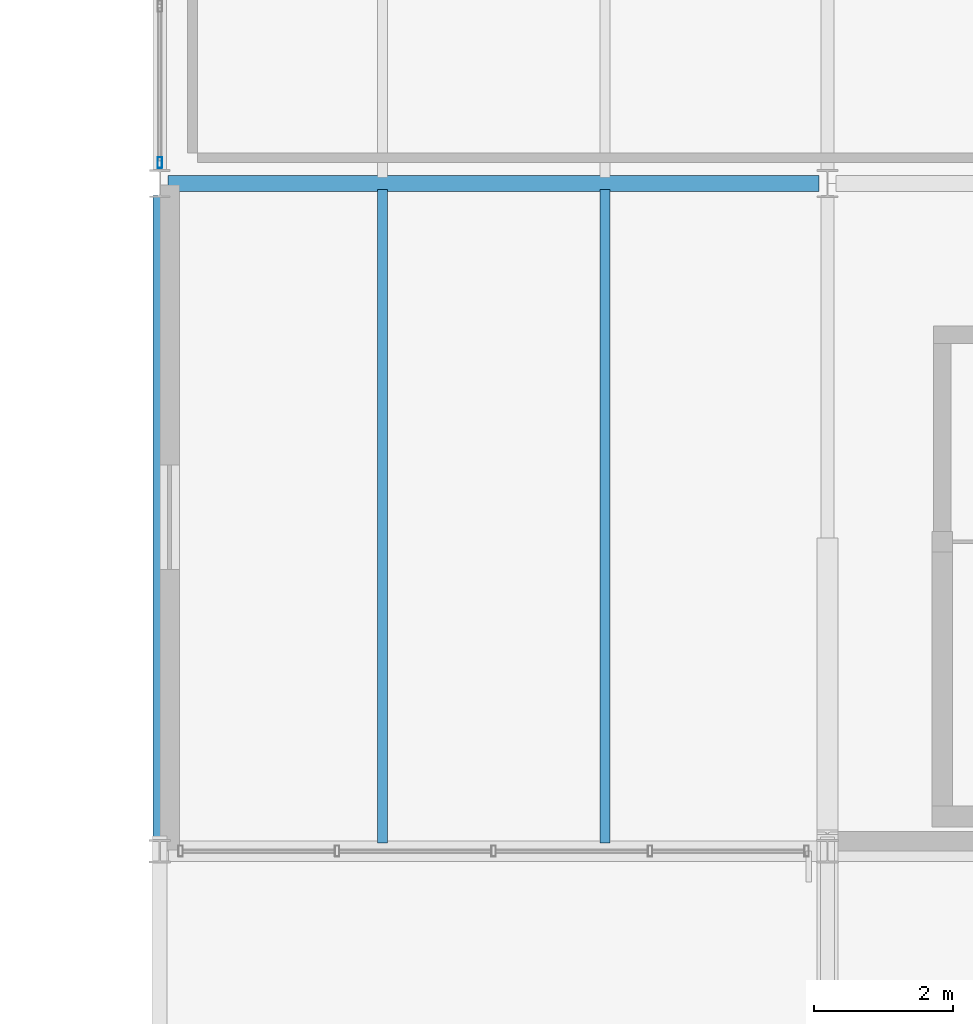
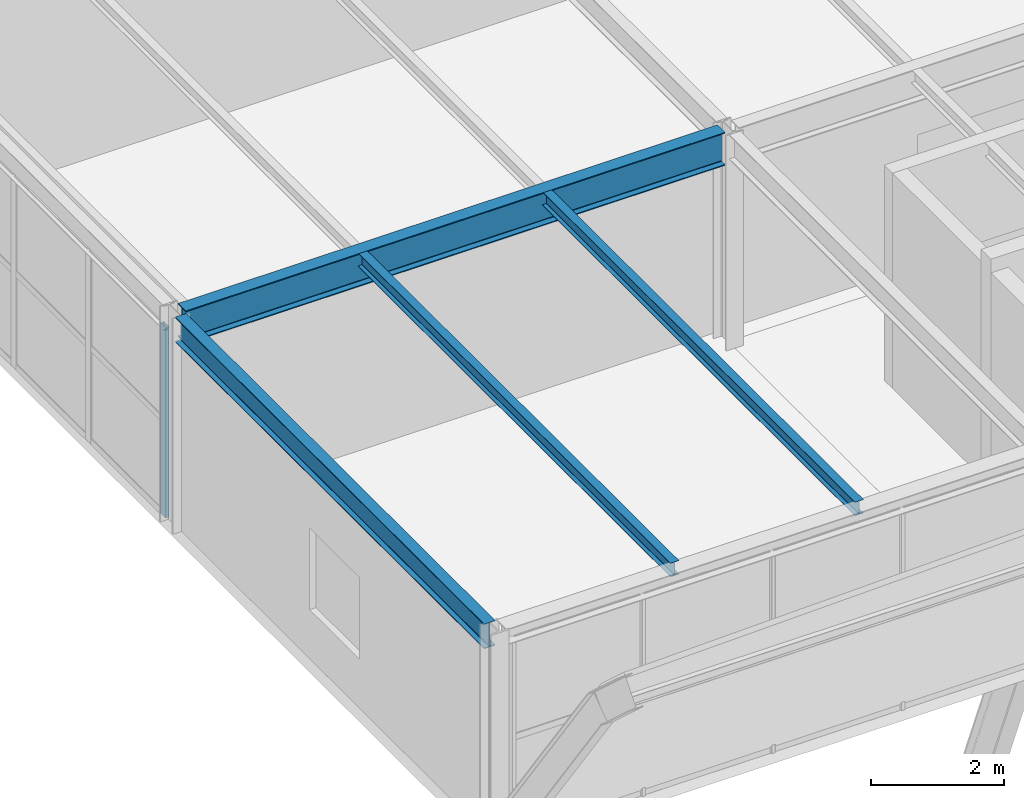
# One storey, part 71 of 126: 4 beams, 1 member, 1 element without a shape of its own.
"""IFC4 building model written with IfcOpenShell, lengths in metres."""

from ifc_helpers import new_model, si_unit, direction, frame, origin, origin_2d, place, context, subcontext, project, spatial, hollow_rectangle, i_section, extrude, material, material_profile, profile_set, type_object, element, aggregate, save


model = new_model("IFC4")

# Units and contexts
model_context = context("Model", 3, precision=1e-05, world=origin(), true_north=direction((0.0, 1.0)))
body_context = subcontext(model_context, "Body", "Model", "MODEL_VIEW")
ifc_project = project(units=[si_unit("LENGTHUNIT", "METRE"), si_unit("AREAUNIT", "SQUARE_METRE"), si_unit("VOLUMEUNIT", "CUBIC_METRE"), si_unit("PLANEANGLEUNIT", "RADIAN"), si_unit("MASSUNIT", "GRAM", prefix="KILO")], contexts=[model_context])

# Site, building, storey
site_placement = place(None, origin())
site = spatial("IfcSite", under=ifc_project, at=site_placement, CompositionType="ELEMENT")
building_placement = place(site_placement, origin())
building = spatial("IfcBuilding", under=site, at=building_placement, Name="Coralgate Yard Interchange", CompositionType="ELEMENT")
storey_placement = place(building_placement, frame((0.0, 0.0, 10.5)))
storey = spatial("IfcBuildingStorey", under=building, at=storey_placement, Name="L02", CompositionType="ELEMENT", Elevation=10.5)

# Beams
ifc_material_1 = material(Name="Structural steel S355J2", Category="steel")
ifc_material_profile_1 = material_profile(ifc_material_1, i_section(OverallWidth=0.1904296875, OverallDepth=0.45703125, WebThickness=0.009033203125, FlangeThickness=0.014404296875, FilletRadius=0.01025390625, at=origin_2d()), Name="UB 457x191x74")
ifc_profile_set_1 = profile_set([ifc_material_profile_1], Name="Structural steel S355J2")
beam_type_1 = type_object("IfcBeamType", Name="BM-SB-2", PredefinedType="BEAM", material=ifc_profile_set_1)
beam_1_placement = place(storey_placement, frame((38.39990234375, 76.93994140625, 3.721435546875), z_axis=(0.0, 1.0, 0.0), x_axis=(-1.0, 0.0, 0.0)))
element("IfcBeam", 1, at=beam_1_placement, inside=storey, type_object=beam_type_1, Name="L02 primary grid girder X4 Y8-9", PredefinedType="BEAM", context=body_context, shape_type="SweptSolid", body=[
    extrude(i_section(OverallWidth=0.1904296875, OverallDepth=0.45703125, WebThickness=0.009033203125, FlangeThickness=0.014404296875, FilletRadius=0.01025390625, at=origin_2d()), origin(), (0.0, 0.0, 1.0), 9.2900390625),
])
ifc_material_profile_2 = material_profile(ifc_material_1, i_section(OverallWidth=0.228271484375, OverallDepth=0.607666015625, WebThickness=0.010986328125, FlangeThickness=0.017333984375, FilletRadius=0.0126953125, at=origin_2d()), Name="UB 610x229x113")
ifc_profile_set_2 = profile_set([ifc_material_profile_2], Name="Structural steel S355J2")
beam_type_2 = type_object("IfcBeamType", Name="BM-SG-5", PredefinedType="BEAM", material=ifc_profile_set_2)
beam_2_placement = place(storey_placement, frame((38.52001953125, 86.39990234375, 3.646240234375), z_axis=(1.0, 0.0, 0.0), x_axis=(0.0, 1.0, 0.0)))
element("IfcBeam", 2, at=beam_2_placement, inside=storey, type_object=beam_type_2, Name="L02 primary grid beam Y9 X4-5", PredefinedType="BEAM", context=body_context, shape_type="SweptSolid", body=[
    extrude(i_section(OverallWidth=0.228271484375, OverallDepth=0.607666015625, WebThickness=0.010986328125, FlangeThickness=0.017333984375, FilletRadius=0.0126953125, at=origin_2d()), origin(), (0.0, 0.0, 1.0), 9.35986328125),
])
ifc_material_profile_3 = material_profile(ifc_material_1, i_section(OverallWidth=0.14599609375, OverallDepth=0.25146484375, WebThickness=0.006103515625, FlangeThickness=0.008544921875, FilletRadius=0.007568359375, at=origin_2d()), Name="UB 254x146x31")
ifc_profile_set_3 = profile_set([ifc_material_profile_3], Name="Structural steel S355J2")
beam_type_3 = type_object("IfcBeamType", Name="BM-SJ-2", PredefinedType="JOIST", material=ifc_profile_set_3)
for number, where, z_axis, x_axis, name in (
    (3, (41.60009765625, 76.919921875, 3.82421875), (0.0, 1.0, 0.0), (-1.0, 0.0, 0.0), "L02 composite floor joist 4-8-1"),
    (4, (44.800048828125, 76.919921875, 3.82421875), (0.0, 1.0, 0.0), (-1.0, 0.0, 0.0), "L02 composite floor joist 4-8-2"),
):
    element("IfcBeam", number, at=place(storey_placement, frame(where, z_axis=z_axis, x_axis=x_axis)), inside=storey, type_object=beam_type_3, Name=name, PredefinedType="JOIST", context=body_context, shape_type="SweptSolid", body=[
        extrude(i_section(OverallWidth=0.14599609375, OverallDepth=0.25146484375, WebThickness=0.006103515625, FlangeThickness=0.008544921875, FilletRadius=0.007568359375, at=origin_2d()), origin(), (0.0, 0.0, 1.0), 9.39599609375),
    ])

# Curtain wall, member
ifc_material_2 = material(Name="Anodised coastal aluminium and solar-control low-E glass", Category="aluminium")
curtain_wall_type = type_object("IfcCurtainWallType", Name="CW-CW-L02-A", PredefinedType="NOTDEFINED", material=ifc_material_2)
curtain_wall_placement = place(storey_placement, origin())
curtain_wall = element("IfcCurtainWall", 5, at=curtain_wall_placement, inside=storey, type_object=curtain_wall_type, Name="L02 unitised curtain wall CW-L02-W-04-09", PredefinedType="NOTDEFINED")
ifc_material_3 = material(Name="Anodised coastal aluminium 6063-T6", Category="aluminium")
ifc_material_profile_4 = material_profile(ifc_material_3, hollow_rectangle(XDim=0.06494140625, YDim=0.159912109375, WallThickness=0.00390625, InnerFilletRadius=0.00390625, OuterFilletRadius=0.008056640625, at=origin_2d()), Name="ALU 65x160x4")
ifc_profile_set_4 = profile_set([ifc_material_profile_4], Name="Anodised coastal aluminium 6063-T6")
member_type = type_object("IfcMemberType", Name="MB-MUL-160", PredefinedType="MULLION", material=ifc_profile_set_4)
member_placement = place(storey_placement, frame((38.39990234375, 86.699951171875, 0.0), z_axis=(0.0, 0.0, 1.0), x_axis=(1.0, 0.0, 0.0)))
member = element("IfcMember", 6, at=member_placement, type_object=member_type, Name="CW-L02-W-04-09 vertical mullion 1", PredefinedType="MULLION", context=body_context, shape_type="SweptSolid", body=[
    extrude(hollow_rectangle(XDim=0.06494140625, YDim=0.159912109375, WallThickness=0.00390625, InnerFilletRadius=0.00390625, OuterFilletRadius=0.008056640625, at=origin_2d()), origin(), (0.0, 0.0, 1.0), 3.492919921875),
])
aggregate(curtain_wall, [member])

save(model, "model.ifc")
